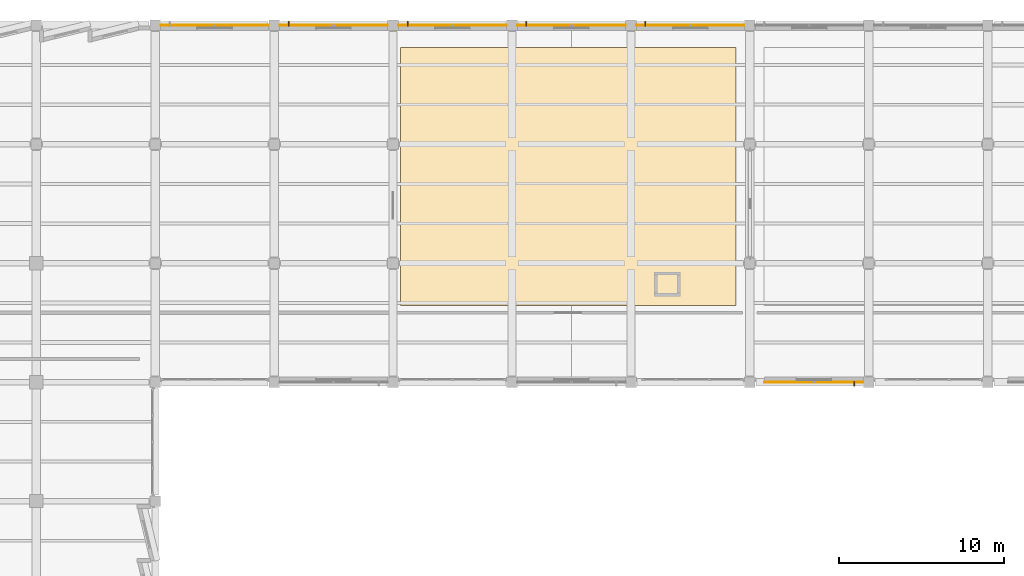
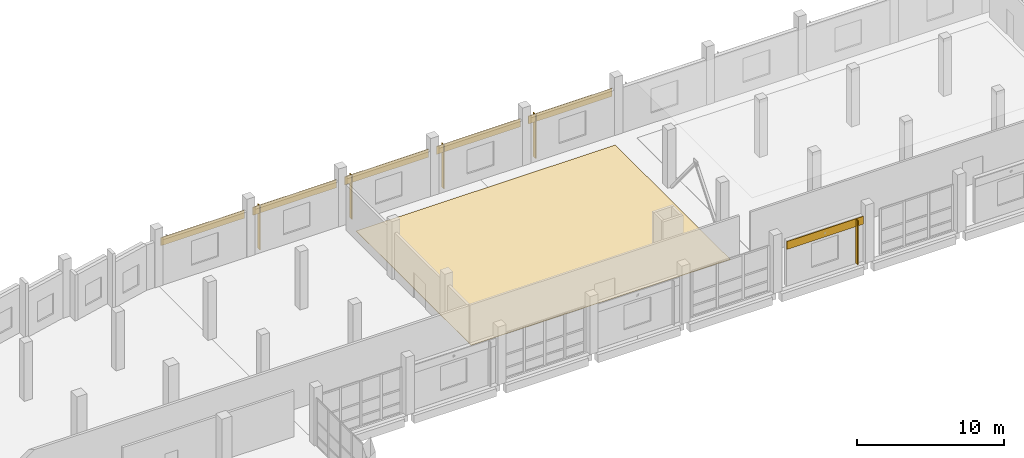
# One storey, part 118 of 127: 7 coverings, 5 shading devices.
"""IFC4 building model written with IfcOpenShell, lengths in metres."""

from ifc_helpers import new_model, si_unit, direction, frame, origin, origin_2d, place, context, subcontext, project, spatial, polyline, rectangle, outline, extrude, material, layer, layer_set, type_object, element, save


model = new_model("IFC4")

# Units and contexts
model_context = context("Model", 3, precision=1e-05, world=origin(), true_north=direction((0.0, 1.0)))
body_context = subcontext(model_context, "Body", "Model", "MODEL_VIEW")
ifc_project = project(units=[si_unit("LENGTHUNIT", "METRE"), si_unit("AREAUNIT", "SQUARE_METRE"), si_unit("VOLUMEUNIT", "CUBIC_METRE"), si_unit("PLANEANGLEUNIT", "RADIAN"), si_unit("MASSUNIT", "GRAM", prefix="KILO")], contexts=[model_context])

# Site, building, storey
site_placement = place(None, origin())
site = spatial("IfcSite", under=ifc_project, at=site_placement, CompositionType="ELEMENT")
building_placement = place(site_placement, origin())
building = spatial("IfcBuilding", under=site, at=building_placement, Name="Kalmorath City Hall", CompositionType="ELEMENT")
storey_placement = place(building_placement, frame((0.0, 0.0, 5.39990234375)))
storey = spatial("IfcBuildingStorey", under=building, at=storey_placement, Name="L01", CompositionType="ELEMENT", Elevation=5.39990234375)

# Shading devices
ifc_material_1 = material(Name="Bronze anodised aluminium", Category="aluminium")
ifc_layer_1 = layer(ifc_material_1, 0.06005859375)
ifc_layer_set_1 = layer_set([ifc_layer_1], Name="Bronze anodised aluminium")
shading_device_type = type_object("IfcShadingDeviceType", Name="Bronze vertical solar fin 320", PredefinedType="USERDEFINED", material=ifc_layer_set_1)
for number, where, z_axis, x_axis, name in (
    (1, (36.8759765625, 115.300048828125, 0.050048828125), (0.0, 0.0, 1.0), (1.0, 0.0, 0.0), "L01 bronze solar fin #127"),
    (2, (44.075927734375, 115.300048828125, 0.050048828125), (0.0, 0.0, 1.0), (1.0, 0.0, 0.0), "L01 bronze solar fin #128"),
    (3, (51.27587890625, 115.300048828125, 0.050048828125), (0.0, 0.0, 1.0), (1.0, 0.0, 0.0), "L01 bronze solar fin #129"),
    (4, (58.47607421875, 115.300048828125, 0.050048828125), (0.0, 0.0, 1.0), (1.0, 0.0, 0.0), "L01 bronze solar fin #130"),
    (5, (71.1240234375, 93.5, 0.050048828125), (0.0, 0.0, 1.0), (-1.0, 0.0, 0.0), "L01 bronze solar fin #175"),
):
    element("IfcShadingDevice", number, at=place(storey_placement, frame(where, z_axis=z_axis, x_axis=x_axis)), inside=storey, type_object=shading_device_type, Name=name, ObjectType="FIN", PredefinedType="USERDEFINED", context=body_context, shape_type="SweptSolid", body=[
        extrude(rectangle(XDim=0.06005859375, YDim=0.320068359375, at=origin_2d()), origin(), (0.0, 0.0, 1.0), 3.65087890625),
    ])

# Coverings
ifc_material_2 = material(Name="Polished terrazzo finish")
ifc_layer_2 = layer(ifc_material_2, 0.034912109375)
ifc_layer_set_2 = layer_set([ifc_layer_2], Name="Polished terrazzo finish")
covering_type_1 = type_object("IfcCoveringType", Name="Polished civic terrazzo floor finish 35", PredefinedType="FLOORING", material=ifc_layer_set_2)
covering_1_placement = place(storey_placement, origin())
element("IfcCovering", 6, at=covering_1_placement, inside=storey, type_object=covering_type_1, Name="L01 Public Hearing Room (Budget and Finance) terrazzo flooring", PredefinedType="FLOORING", context=body_context, shape_type="SweptSolid", body=[
    extrude(outline(polyline([(63.949951171875, 113.85009765625), (63.949951171875, 98.25), (43.64990234375, 98.25), (43.64990234375, 113.85009765625), (63.949951171875, 113.85009765625)])), origin(), (0.0, 0.0, 1.0), 0.03515625),
])
ifc_material_3 = material(Name="Volcanic basalt stone cladding", Category="masonry")
ifc_layer_3 = layer(ifc_material_3, 0.06005859375)
ifc_layer_set_3 = layer_set([ifc_layer_3], Name="Volcanic basalt stone cladding")
covering_type_2 = type_object("IfcCoveringType", Name="Volcanic basalt stone rainscreen cladding", PredefinedType="CLADDING", material=ifc_layer_set_3)
for number, where, z_axis, x_axis, name in (
    (7, (32.39990234375, 115.205078125, 3.076171875), (0.0, 0.0, 1.0), (1.0, 0.0, 0.0), "L01 basalt spandrel cladding #20"),
    (8, (39.60009765625, 115.205078125, 3.076171875), (0.0, 0.0, 1.0), (1.0, 0.0, 0.0), "L01 basalt spandrel cladding #21"),
    (9, (46.800048828125, 115.205078125, 3.076171875), (0.0, 0.0, 1.0), (1.0, 0.0, 0.0), "L01 basalt spandrel cladding #22"),
    (10, (54.0, 115.205078125, 3.076171875), (0.0, 0.0, 1.0), (1.0, 0.0, 0.0), "L01 basalt spandrel cladding #23"),
    (11, (61.199951171875, 115.205078125, 3.076171875), (0.0, 0.0, 1.0), (1.0, 0.0, 0.0), "L01 basalt spandrel cladding #24"),
):
    element("IfcCovering", number, at=place(storey_placement, frame(where, z_axis=z_axis, x_axis=x_axis)), inside=storey, type_object=covering_type_2, Name=name, PredefinedType="CLADDING", context=body_context, shape_type="SweptSolid", body=[
        extrude(rectangle(XDim=6.548095703125, YDim=0.06005859375, at=origin_2d()), origin(), (0.0, 0.0, 1.0), 0.64990234375),
    ])
covering_2_placement = place(storey_placement, frame((68.67919921875, 93.594970703125, 3.076171875), z_axis=(0.0, 0.0, 1.0), x_axis=(-1.0, 0.0, 0.0)))
element("IfcCovering", 12, at=covering_2_placement, inside=storey, type_object=covering_type_2, Name="L01 basalt spandrel cladding #36", PredefinedType="CLADDING", context=body_context, shape_type="SweptSolid", body=[
    extrude(rectangle(XDim=5.989501953125, YDim=0.06005859375, at=origin_2d()), origin(), (0.0, 0.0, 1.0), 0.64990234375),
])

save(model, "model.ifc")
